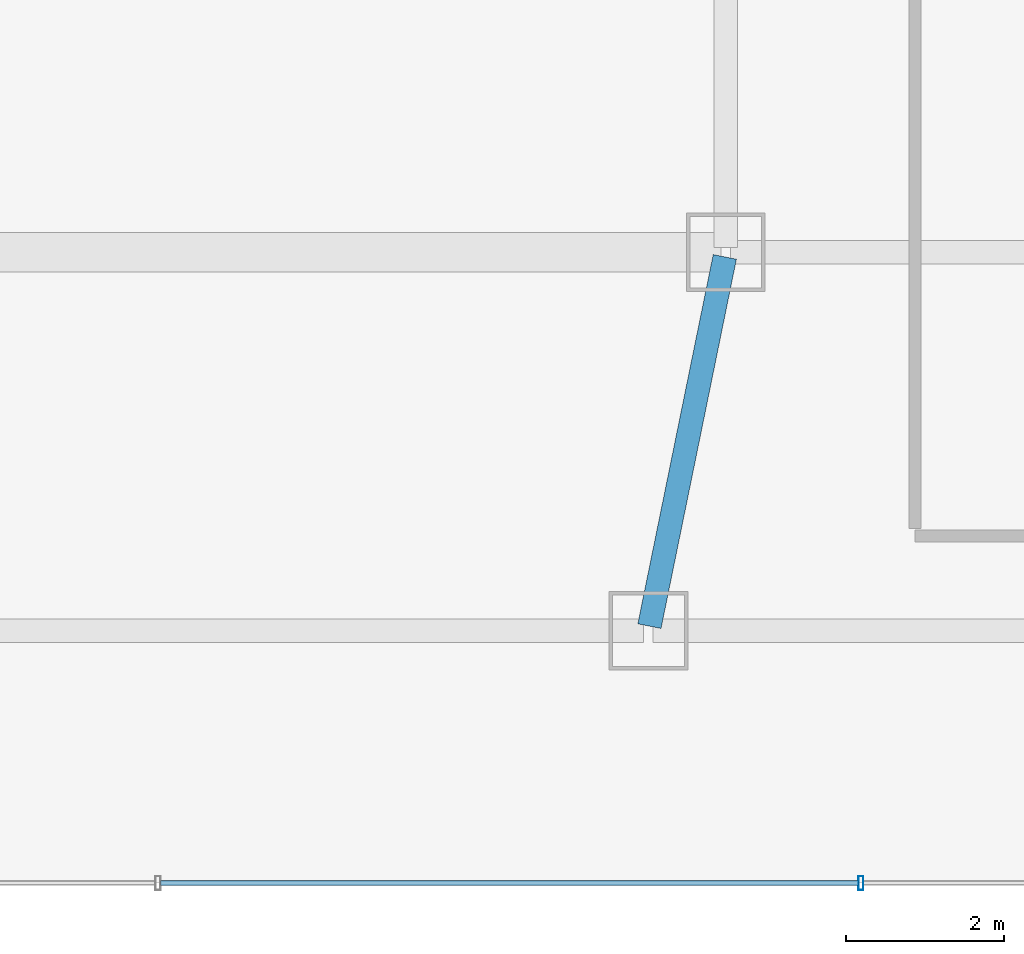
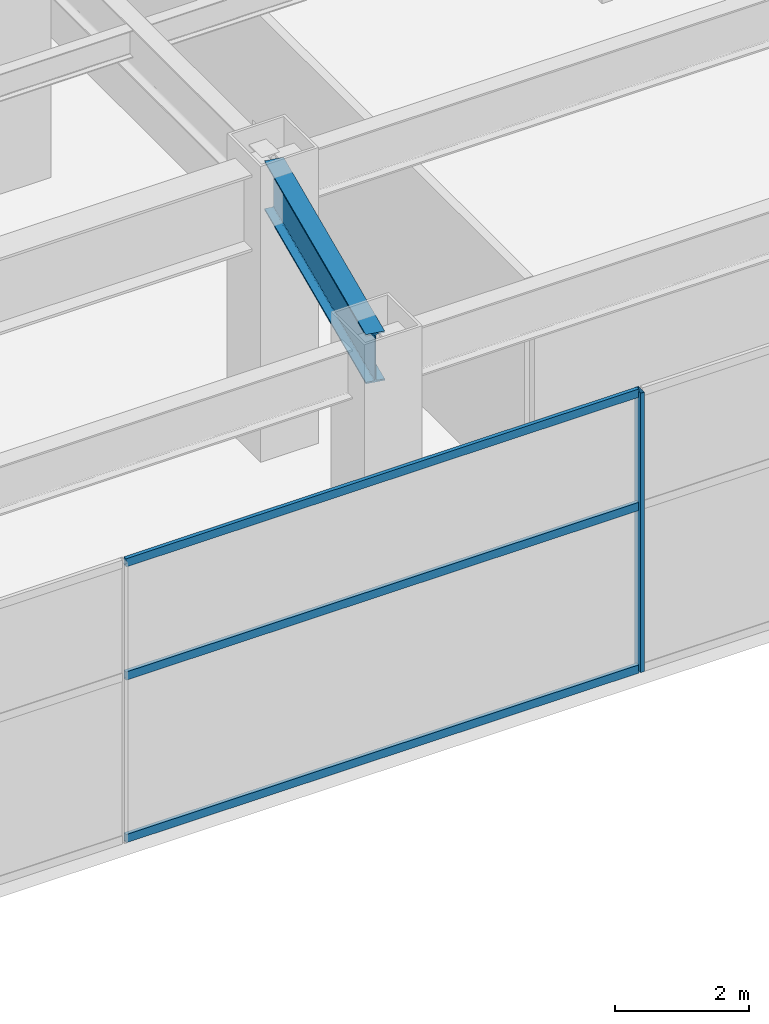
# One storey, part 14 of 51: 4 members, 1 beam, 1 element without a shape of its own.
"""IFC4 building model written with IfcOpenShell, lengths in metres."""

from ifc_helpers import new_model, si_unit, direction, frame, origin, origin_2d, place, context, subcontext, project, spatial, hollow_rectangle, i_section, extrude, material, material_profile, profile_set, type_object, element, aggregate, save


model = new_model("IFC4")

# Units and contexts
model_context = context("Model", 3, precision=1e-05, world=origin(), true_north=direction((0.0, 1.0)))
body_context = subcontext(model_context, "Body", "Model", "MODEL_VIEW")
ifc_project = project(units=[si_unit("LENGTHUNIT", "METRE"), si_unit("AREAUNIT", "SQUARE_METRE"), si_unit("VOLUMEUNIT", "CUBIC_METRE"), si_unit("PLANEANGLEUNIT", "RADIAN"), si_unit("MASSUNIT", "GRAM", prefix="KILO")], contexts=[model_context])

# Site, building, storey
site_placement = place(None, origin())
site = spatial("IfcSite", under=ifc_project, at=site_placement, CompositionType="ELEMENT")
building_placement = place(site_placement, origin())
building = spatial("IfcBuilding", under=site, at=building_placement, Name="Saevonmaru Cultural Tower", CompositionType="ELEMENT")
storey_placement = place(building_placement, frame((0.0, 0.0, 6.0)))
storey = spatial("IfcBuildingStorey", under=building, at=storey_placement, Name="L01", CompositionType="ELEMENT", Elevation=6.0)

# Beam
ifc_material_1 = material(Name="Steel SM420", Category="steel")
ifc_material_profile_1 = material_profile(ifc_material_1, i_section(OverallWidth=0.300048828125, OverallDepth=0.89990234375, WebThickness=0.01611328125, FlangeThickness=0.028076171875, FilletRadius=0.028076171875, at=origin_2d()), Name="H-900x300x16x28")
ifc_profile_set_1 = profile_set([ifc_material_profile_1], Name="Steel SM420")
beam_type = type_object("IfcBeamType", Name="BM-G-H900", PredefinedType="BEAM", material=ifc_profile_set_1)
beam_placement = place(storey_placement, frame((36.23193359375, 3.2587890625, 4.64990234375), z_axis=(0.200054094908, 0.979784853481, 0.0), x_axis=(-0.979784853481, 0.200054094908, 0.0)))
element("IfcBeam", 1, at=beam_placement, inside=storey, type_object=beam_type, Name="L01 Podium Girder NS3-1", PredefinedType="BEAM", context=body_context, shape_type="SweptSolid", body=[
    extrude(i_section(OverallWidth=0.300048828125, OverallDepth=0.89990234375, WebThickness=0.01611328125, FlangeThickness=0.028076171875, FilletRadius=0.028076171875, at=origin_2d()), origin(), (0.0, 0.0, 1.0), 4.779052734375),
])

# Curtain wall, members
ifc_material_2 = material(Name="Satin Bronze Anodised Aluminium", Category="aluminium")
curtain_wall_type = type_object("IfcCurtainWallType", Name="CW-POD-GLZ", PredefinedType="NOTDEFINED", material=ifc_material_2)
curtain_wall_placement = place(storey_placement, origin())
curtain_wall = element("IfcCurtainWall", 2, at=curtain_wall_placement, inside=storey, type_object=curtain_wall_type, Name="L01 South Grand Foyer Curtain Wall", PredefinedType="NOTDEFINED")
ifc_material_profile_2 = material_profile(ifc_material_2, hollow_rectangle(XDim=0.06494140625, YDim=0.179931640625, WallThickness=0.00390625, at=origin_2d()), Name="ALU-MULL-180x65x4")
ifc_profile_set_2 = profile_set([ifc_material_profile_2], Name="Satin Bronze Anodised Aluminium")
member_type_1 = type_object("IfcMemberType", Name="ML-CW-180x65", PredefinedType="MULLION", material=ifc_profile_set_2)
member_1_placement = place(storey_placement, frame((38.913330078125, 0.0, 0.0), z_axis=(0.0, 0.0, 1.0), x_axis=(1.0, 0.0, 0.0)))
member_1 = element("IfcMember", 3, at=member_1_placement, type_object=member_type_1, Name="CW-POD-S-L01 mullion 5", PredefinedType="MULLION", context=body_context, shape_type="SweptSolid", body=[
    extrude(hollow_rectangle(XDim=0.06494140625, YDim=0.179931640625, WallThickness=0.00390625, at=origin_2d()), origin(), (0.0, 0.0, 1.0), 5.10009765625),
])
ifc_material_profile_3 = material_profile(ifc_material_2, hollow_rectangle(XDim=0.06494140625, YDim=0.14990234375, WallThickness=0.00390625, at=origin_2d()), Name="ALU-TRAN-150x65x4")
ifc_profile_set_3 = profile_set([ifc_material_profile_3], Name="Satin Bronze Anodised Aluminium")
member_type_2 = type_object("IfcMemberType", Name="TR-CW-150x65", PredefinedType="USERDEFINED", material=ifc_profile_set_3)
member_2_placement = place(storey_placement, frame((30.032470703125, 0.0, 0.032470703125), z_axis=(1.0, 0.0, 0.0), x_axis=(0.0, 1.0, 0.0)))
member_2 = element("IfcMember", 4, at=member_2_placement, type_object=member_type_2, Name="CW-POD-S-L01 transom 4.1", ObjectType="TRANSOM", PredefinedType="USERDEFINED", context=body_context, shape_type="SweptSolid", body=[
    extrude(hollow_rectangle(XDim=0.06494140625, YDim=0.14990234375, WallThickness=0.00390625, at=origin_2d()), origin(), (0.0, 0.0, 1.0), 8.848388671875),
])
member_3_placement = place(storey_placement, frame((30.032470703125, 0.0, 3.0), z_axis=(1.0, 0.0, 0.0), x_axis=(0.0, 1.0, 0.0)))
member_3 = element("IfcMember", 5, at=member_3_placement, type_object=member_type_2, Name="CW-POD-S-L01 transom 4.2", ObjectType="TRANSOM", PredefinedType="USERDEFINED", context=body_context, shape_type="SweptSolid", body=[
    extrude(hollow_rectangle(XDim=0.06494140625, YDim=0.14990234375, WallThickness=0.00390625, at=origin_2d()), origin(), (0.0, 0.0, 1.0), 8.848388671875),
])
member_4_placement = place(storey_placement, frame((30.032470703125, 0.0, 5.0673828125), z_axis=(1.0, 0.0, 0.0), x_axis=(0.0, 1.0, 0.0)))
member_4 = element("IfcMember", 6, at=member_4_placement, type_object=member_type_2, Name="CW-POD-S-L01 transom 4.3", ObjectType="TRANSOM", PredefinedType="USERDEFINED", context=body_context, shape_type="SweptSolid", body=[
    extrude(hollow_rectangle(XDim=0.06494140625, YDim=0.14990234375, WallThickness=0.00390625, at=origin_2d()), origin(), (0.0, 0.0, 1.0), 8.848388671875),
])
aggregate(curtain_wall, [member_1, member_2, member_3, member_4])

save(model, "model.ifc")
